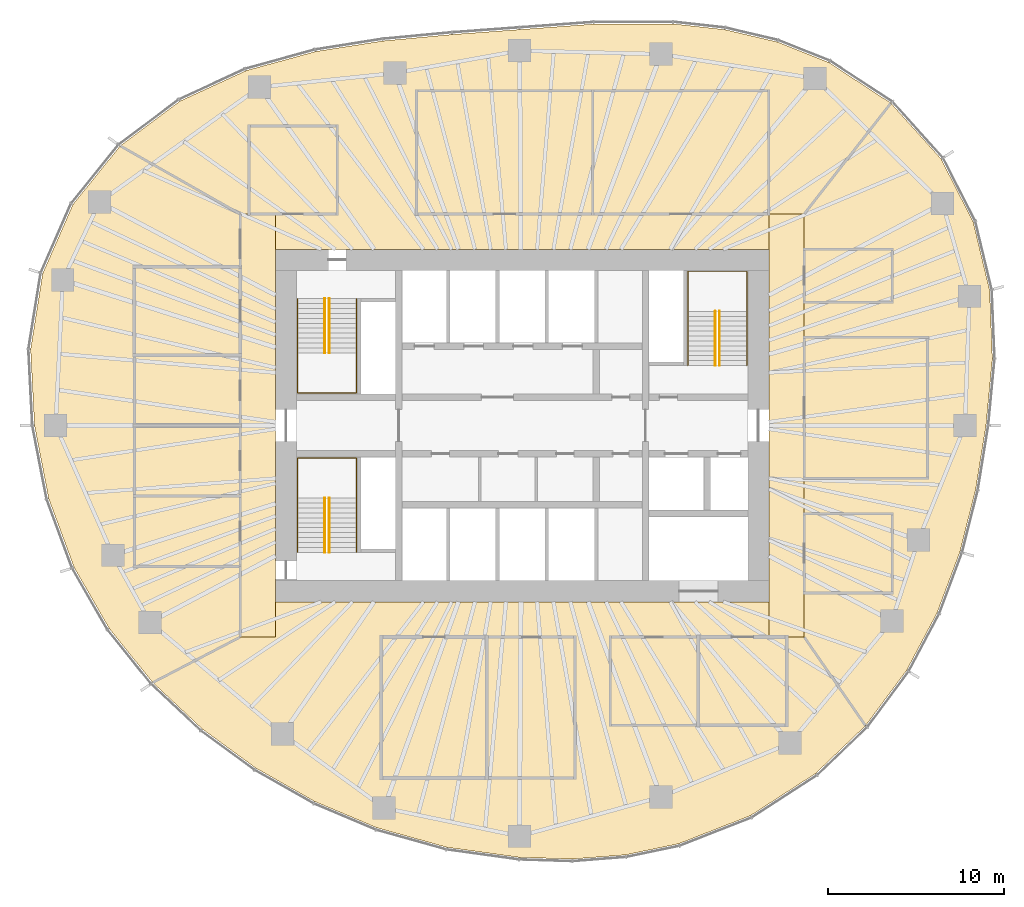
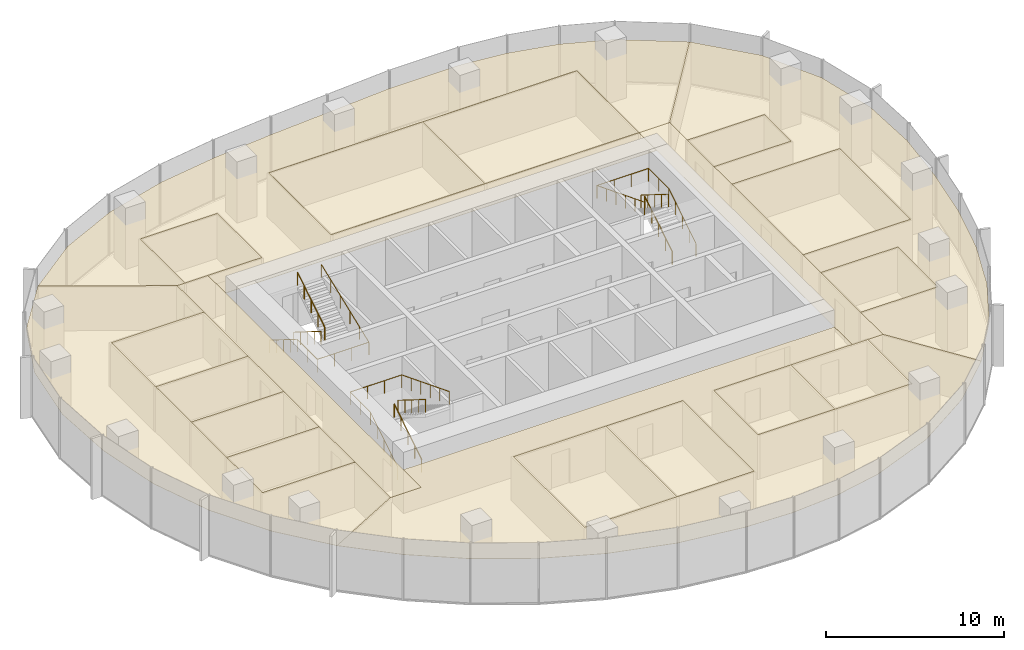
# One storey, part 12 of 12: 20 coverings, 9 railings.
"""IFC4 building model written with IfcOpenShell, lengths in metres."""

from ifc_helpers import new_model, si_unit, direction, frame, origin, origin_2d, place, context, subcontext, project, spatial, polyline, circle, outline, extrude, material, layer, layer_set, type_object, element, save


model = new_model("IFC4")

# Units and contexts
model_context = context("Model", 3, precision=1e-05, world=origin(), true_north=direction((0.0, 1.0)))
body_context = subcontext(model_context, "Body", "Model", "MODEL_VIEW")
ifc_project = project(units=[si_unit("LENGTHUNIT", "METRE"), si_unit("AREAUNIT", "SQUARE_METRE"), si_unit("VOLUMEUNIT", "CUBIC_METRE"), si_unit("PLANEANGLEUNIT", "RADIAN"), si_unit("MASSUNIT", "GRAM", prefix="KILO")], contexts=[model_context])

# Site, building, storey
site_placement = place(None, origin())
site = spatial("IfcSite", under=ifc_project, at=site_placement, CompositionType="ELEMENT")
building_placement = place(site_placement, origin())
building = spatial("IfcBuilding", under=site, at=building_placement, Name="Ghaith Harvest Tower", CompositionType="ELEMENT")
storey_placement = place(building_placement, frame((0.0, 0.0, 224.199951171875)))
storey = spatial("IfcBuildingStorey", under=building, at=storey_placement, Name="L49", CompositionType="ELEMENT", Elevation=224.199951171875)

# Coverings
ifc_material_1 = material(Name="Mineral fibre ceiling tile", Category="gypsum")
ifc_layer = layer(ifc_material_1, 0.02001953125)
ifc_layer_set = layer_set([ifc_layer], Name="CEILING C1")
covering_type = type_object("IfcCoveringType", Name="CEILING C1", PredefinedType="CEILING", material=ifc_layer_set)
covering_1_placement = place(storey_placement, frame((0.0, 0.0, 3.0)))
element("IfcCovering", 1, at=covering_1_placement, inside=storey, type_object=covering_type, Name="Ceiling L49-01", PredefinedType="CEILING", context=body_context, shape_type="SweptSolid", body=[
    extrude(outline(polyline([(-6.0, 12.0), (4.0, 12.0), (4.0, 19.0), (-6.0, 19.0), (-6.0, 12.0)])), origin(), (0.0, 0.0, 1.0), 0.02001953125),
])
covering_2_placement = place(storey_placement, frame((0.0, 0.0, 3.0)))
element("IfcCovering", 2, at=covering_2_placement, inside=storey, type_object=covering_type, Name="Ceiling L49-02", PredefinedType="CEILING", context=body_context, shape_type="SweptSolid", body=[
    extrude(outline(polyline([(4.0, 12.0), (14.0, 12.0), (14.0, 19.0), (4.0, 19.0), (4.0, 12.0)])), origin(), (0.0, 0.0, 1.0), 0.02001953125),
])
covering_3_placement = place(storey_placement, frame((0.0, 0.0, 3.0)))
element("IfcCovering", 3, at=covering_3_placement, inside=storey, type_object=covering_type, Name="Ceiling L49-03", PredefinedType="CEILING", context=body_context, shape_type="SweptSolid", body=[
    extrude(outline(polyline([(-15.5, 12.0), (-10.5, 12.0), (-10.5, 17.0), (-15.5, 17.0), (-15.5, 12.0)])), origin(), (0.0, 0.0, 1.0), 0.02001953125),
])
covering_4_placement = place(storey_placement, frame((0.0, 0.0, 3.0)))
element("IfcCovering", 4, at=covering_4_placement, inside=storey, type_object=covering_type, Name="Ceiling L49-04", PredefinedType="CEILING", context=body_context, shape_type="SweptSolid", body=[
    extrude(outline(polyline([(-8.0, -20.0), (-2.0, -20.0), (-2.0, -12.0), (-8.0, -12.0), (-8.0, -20.0)])), origin(), (0.0, 0.0, 1.0), 0.02001953125),
])
covering_5_placement = place(storey_placement, frame((0.0, 0.0, 3.0)))
element("IfcCovering", 5, at=covering_5_placement, inside=storey, type_object=covering_type, Name="Ceiling L49-05", PredefinedType="CEILING", context=body_context, shape_type="SweptSolid", body=[
    extrude(outline(polyline([(-2.0, -20.0), (3.0, -20.0), (3.0, -12.0), (-2.0, -12.0), (-2.0, -20.0)])), origin(), (0.0, 0.0, 1.0), 0.02001953125),
])
covering_6_placement = place(storey_placement, frame((0.0, 0.0, 3.0)))
element("IfcCovering", 6, at=covering_6_placement, inside=storey, type_object=covering_type, Name="Ceiling L49-06", PredefinedType="CEILING", context=body_context, shape_type="SweptSolid", body=[
    extrude(outline(polyline([(5.0, -17.0), (10.0, -17.0), (10.0, -12.0), (5.0, -12.0), (5.0, -17.0)])), origin(), (0.0, 0.0, 1.0), 0.02001953125),
])
covering_7_placement = place(storey_placement, frame((0.0, 0.0, 3.0)))
element("IfcCovering", 7, at=covering_7_placement, inside=storey, type_object=covering_type, Name="Ceiling L49-07", PredefinedType="CEILING", context=body_context, shape_type="SweptSolid", body=[
    extrude(outline(polyline([(10.0, -17.0), (15.0, -17.0), (15.0, -12.0), (10.0, -12.0), (10.0, -17.0)])), origin(), (0.0, 0.0, 1.0), 0.02001953125),
])
covering_8_placement = place(storey_placement, frame((0.0, 0.0, 3.0)))
element("IfcCovering", 8, at=covering_8_placement, inside=storey, type_object=covering_type, Name="Ceiling L49-08", PredefinedType="CEILING", context=body_context, shape_type="SweptSolid", body=[
    extrude(outline(polyline([(16.0, -3.0), (23.0, -3.0), (23.0, 5.0), (16.0, 5.0), (16.0, -3.0)])), origin(), (0.0, 0.0, 1.0), 0.02001953125),
])
covering_9_placement = place(storey_placement, frame((0.0, 0.0, 3.0)))
element("IfcCovering", 9, at=covering_9_placement, inside=storey, type_object=covering_type, Name="Ceiling L49-09", PredefinedType="CEILING", context=body_context, shape_type="SweptSolid", body=[
    extrude(outline(polyline([(-22.0, -8.0), (-16.0, -8.0), (-16.0, -4.0), (-22.0, -4.0), (-22.0, -8.0)])), origin(), (0.0, 0.0, 1.0), 0.02001953125),
])
covering_10_placement = place(storey_placement, frame((0.0, 0.0, 3.0)))
element("IfcCovering", 10, at=covering_10_placement, inside=storey, type_object=covering_type, Name="Ceiling L49-10", PredefinedType="CEILING", context=body_context, shape_type="SweptSolid", body=[
    extrude(outline(polyline([(-22.0, -4.0), (-16.0, -4.0), (-16.0, 0.0), (-22.0, 0.0), (-22.0, -4.0)])), origin(), (0.0, 0.0, 1.0), 0.02001953125),
])
covering_11_placement = place(storey_placement, frame((0.0, 0.0, 3.0)))
element("IfcCovering", 11, at=covering_11_placement, inside=storey, type_object=covering_type, Name="Ceiling L49-11", PredefinedType="CEILING", context=body_context, shape_type="SweptSolid", body=[
    extrude(outline(polyline([(-22.0, 0.0), (-16.0, 0.0), (-16.0, 4.0), (-22.0, 4.0), (-22.0, 0.0)])), origin(), (0.0, 0.0, 1.0), 0.02001953125),
])
covering_12_placement = place(storey_placement, frame((0.0, 0.0, 3.0)))
element("IfcCovering", 12, at=covering_12_placement, inside=storey, type_object=covering_type, Name="Ceiling L49-12", PredefinedType="CEILING", context=body_context, shape_type="SweptSolid", body=[
    extrude(outline(polyline([(-22.0, 4.0), (-16.0, 4.0), (-16.0, 9.0), (-22.0, 9.0), (-22.0, 4.0)])), origin(), (0.0, 0.0, 1.0), 0.02001953125),
])
covering_13_placement = place(storey_placement, frame((0.0, 0.0, 3.0)))
element("IfcCovering", 13, at=covering_13_placement, inside=storey, type_object=covering_type, Name="Ceiling L49-13", PredefinedType="CEILING", context=body_context, shape_type="SweptSolid", body=[
    extrude(outline(polyline([(16.0, 7.0), (21.0, 7.0), (21.0, 10.0), (16.0, 10.0), (16.0, 7.0)])), origin(), (0.0, 0.0, 1.0), 0.02001953125),
])
covering_14_placement = place(storey_placement, frame((0.0, 0.0, 3.0)))
element("IfcCovering", 14, at=covering_14_placement, inside=storey, type_object=covering_type, Name="Ceiling L49-14", PredefinedType="CEILING", context=body_context, shape_type="SweptSolid", body=[
    extrude(outline(polyline([(16.0, -9.5), (21.0, -9.5), (21.0, -5.0), (16.0, -5.0), (16.0, -9.5)])), origin(), (0.0, 0.0, 1.0), 0.02001953125),
])
covering_15_placement = place(storey_placement, frame((0.0, 0.0, 3.0)))
element("IfcCovering", 15, at=covering_15_placement, inside=storey, type_object=covering_type, Name="Ceiling L49-C1", PredefinedType="CEILING", context=body_context, shape_type="SweptSolid", body=[
    extrude(outline(polyline([(-14.0, 12.0), (-14.0, -12.0), (-16.0, -12.0), (-16.0, 12.0), (-14.0, 12.0)])), origin(), (0.0, 0.0, 1.0), 0.02001953125),
])
covering_16_placement = place(storey_placement, frame((0.0, 0.0, 3.0)))
element("IfcCovering", 16, at=covering_16_placement, inside=storey, type_object=covering_type, Name="Ceiling L49-C2", PredefinedType="CEILING", context=body_context, shape_type="SweptSolid", body=[
    extrude(outline(polyline([(14.0, -12.0), (14.0, 12.0), (16.0, 12.0), (16.0, -12.0), (14.0, -12.0)])), origin(), (0.0, 0.0, 1.0), 0.02001953125),
])
covering_17_placement = place(storey_placement, frame((0.0, 0.0, 3.0)))
element("IfcCovering", 17, at=covering_17_placement, inside=storey, type_object=covering_type, Name="Ceiling L49-N1", PredefinedType="CEILING", context=body_context, shape_type="SweptSolid", body=[
    extrude(outline(polyline([(-15.6474609375, 20.147705078125), (-11.694580078125, 21.2314453125), (-7.8837890625, 21.827880859375), (-3.963134765625, 22.192138671875), (-0.15380859375, 22.470458984375), (4.03857421875, 22.78125), (8.522216796875, 22.796875), (11.47265625, 22.47265625), (14.460693359375, 21.771484375), (17.382080078125, 20.612548828125), (20.923095703125, 18.295166015625), (16.0, 12.0), (14.010009765625, 12.0), (14.010009765625, 19.010009765625), (-6.010009765625, 19.010009765625), (-6.010009765625, 11.989990234375), (14.0, 11.989990234375), (14.0, 10.0), (-14.0, 10.0), (-14.0, 12.0), (-10.5, 12.0), (-10.5, 17.0), (-15.5, 17.0), (-15.5, 12.0), (-16.0, 12.0), (-22.809814453125, 15.87109375), (-19.408203125, 18.41650390625), (-15.6474609375, 20.147705078125)])), origin(), (0.0, 0.0, 1.0), 0.02001953125),
])
covering_18_placement = place(storey_placement, frame((0.0, 0.0, 3.0)))
element("IfcCovering", 18, at=covering_18_placement, inside=storey, type_object=covering_type, Name="Ceiling L49-E1", PredefinedType="CEILING", context=body_context, shape_type="SweptSolid", body=[
    extrude(outline(polyline([(23.77294921875, 15.12939453125), (25.597900390625, 11.55615234375), (26.531005859375, 7.668212890625), (26.685791015625, 3.779052734375), (26.324951171875, 0.0), (25.734375, -3.644287109375), (24.840576171875, -7.179443359375), (23.548828125, -10.631103515625), (21.821533203125, -13.887451171875), (19.48388671875, -17.036865234375), (16.0, -12.0), (16.0, -9.5), (21.0, -9.5), (21.0, -5.0), (16.0, -5.0), (16.0, -3.0), (23.0, -3.0), (23.0, 5.0), (16.0, 5.0), (16.0, 7.0), (21.0, 7.0), (21.0, 10.0), (16.0, 10.0), (16.0, 12.0), (20.923095703125, 18.295166015625), (23.77294921875, 15.12939453125)])), origin(), (0.0, 0.0, 1.0), 0.02001953125),
])
covering_19_placement = place(storey_placement, frame((0.0, 0.0, 3.0)))
element("IfcCovering", 19, at=covering_19_placement, inside=storey, type_object=covering_type, Name="Ceiling L49-S1", PredefinedType="CEILING", context=body_context, shape_type="SweptSolid", body=[
    extrude(outline(polyline([(-20.963134765625, -14.586181640625), (-16.0, -12.0), (-14.0, -12.0), (-14.0, -10.0), (14.0, -10.0), (14.0, -12.0), (5.0, -12.0), (5.0, -17.0), (15.0, -17.0), (15.0, -12.0), (16.0, -12.0), (19.48388671875, -17.036865234375), (16.651611328125, -19.746337890625), (12.949462890625, -22.1435546875), (8.8740234375, -23.73779296875), (5.865234375, -24.3662109375), (2.833984375, -24.602294921875), (-0.167724609375, -24.505126953125), (-4.27490234375, -23.9375), (-8.2451171875, -22.82861328125), (-11.75732421875, -21.345703125), (-15.10400390625, -19.447998046875), (-18.15087890625, -17.223388671875), (-20.963134765625, -14.586181640625)]), holes=[polyline([(3.0, -12.0), (-8.0, -12.0), (-8.0, -20.0), (3.0, -20.0), (3.0, -12.0)])]), origin(), (0.0, 0.0, 1.0), 0.02001953125),
])
covering_20_placement = place(storey_placement, frame((0.0, 0.0, 3.0)))
element("IfcCovering", 20, at=covering_20_placement, inside=storey, type_object=covering_type, Name="Ceiling L49-W1", PredefinedType="CEILING", context=body_context, shape_type="SweptSolid", body=[
    extrude(outline(polyline([(-23.425537109375, -11.530517578125), (-25.424072265625, -8.057373046875), (-26.86669921875, -4.155517578125), (-27.675048828125, 0.0), (-27.897216796875, 4.314697265625), (-27.211181640625, 8.623779296875), (-25.491943359375, 12.547607421875), (-22.809814453125, 15.87109375), (-16.0, 12.0), (-16.0, 9.0), (-22.0, 9.0), (-22.0, -8.0), (-16.0, -8.0), (-16.0, -12.0), (-20.963134765625, -14.586181640625), (-23.425537109375, -11.530517578125)])), origin(), (0.0, 0.0, 1.0), 0.02001953125),
])

# Railings
ifc_material_2 = material(Name="Steel, black powder-coated", Category="steel")
railing_type = type_object("IfcRailingType", Name="HANDRAIL HR1", PredefinedType="HANDRAIL", material=ifc_material_2)
railing_1_placement = place(storey_placement, frame((-11.199951171875, 7.199951171875, 0.175048828125)))
element("IfcRailing", 21, at=railing_1_placement, inside=storey, type_object=railing_type, Name="Handrail HR1 stair ST1 L49 flight 1 inner", PredefinedType="HANDRAIL", context=body_context, shape_type="SweptSolid", body=[
    extrude(circle(Radius=0.02392578125, at=origin_2d()), frame((0.0, 0.0, 0.8759765625), z_axis=(0.0, -0.847979421464, 0.530029150871), x_axis=(1.0, 0.0, 0.0)), (0.0, 0.0, 1.0), 3.632080078125),
    extrude(circle(Radius=0.02099609375, at=origin_2d()), origin(), (0.0, 0.0, 1.0), 0.851806640625),
    extrude(circle(Radius=0.02099609375, at=origin_2d()), frame((0.0, -0.77001953125, 0.481201171875)), (0.0, 0.0, 1.0), 0.851806640625),
    extrude(circle(Radius=0.02099609375, at=origin_2d()), frame((0.0, -1.5400390625, 0.96240234375)), (0.0, 0.0, 1.0), 0.851806640625),
    extrude(circle(Radius=0.02099609375, at=origin_2d()), frame((0.0, -2.309814453125, 1.44384765625)), (0.0, 0.0, 1.0), 0.851806640625),
    extrude(circle(Radius=0.02099609375, at=origin_2d()), frame((0.0, -3.079833984375, 1.925048828125)), (0.0, 0.0, 1.0), 0.851806640625),
])
railing_2_placement = place(storey_placement, frame((-10.949951171875, 4.1201171875, 2.275146484375)))
element("IfcRailing", 22, at=railing_2_placement, inside=storey, type_object=railing_type, Name="Handrail HR1 stair ST1 L49 flight 2 inner", PredefinedType="HANDRAIL", context=body_context, shape_type="SweptSolid", body=[
    extrude(circle(Radius=0.02392578125, at=origin_2d()), frame((0.0, 0.0, 0.8759765625), z_axis=(0.0, 0.848009633417, 0.529980812513), x_axis=(-1.0, 0.0, 0.0)), (0.0, 0.0, 1.0), 3.6318359375),
    extrude(circle(Radius=0.02099609375, at=origin_2d()), origin(), (0.0, 0.0, 1.0), 0.851806640625),
    extrude(circle(Radius=0.02099609375, at=origin_2d()), frame((0.0, 0.77001953125, 0.481201171875)), (0.0, 0.0, 1.0), 0.851806640625),
    extrude(circle(Radius=0.02099609375, at=origin_2d()), frame((0.0, 1.5400390625, 0.96240234375)), (0.0, 0.0, 1.0), 0.851806640625),
    extrude(circle(Radius=0.02099609375, at=origin_2d()), frame((0.0, 2.309814453125, 1.443603515625)), (0.0, 0.0, 1.0), 0.851806640625),
    extrude(circle(Radius=0.02099609375, at=origin_2d()), frame((0.0, 3.079833984375, 1.9248046875)), (0.0, 0.0, 1.0), 0.851806640625),
])
railing_3_placement = place(storey_placement, frame((-12.75, 7.199951171875, 0.175048828125)))
element("IfcRailing", 23, at=railing_3_placement, inside=storey, type_object=railing_type, Name="Handrail HR1 stair ST1 L49 wall side", PredefinedType="HANDRAIL", context=body_context, shape_type="SweptSolid", body=[
    extrude(circle(Radius=0.02392578125, at=origin_2d()), frame((0.0, 0.0, 0.8759765625), z_axis=(0.0, -0.847979421464, 0.530029150871), x_axis=(1.0, 0.0, 0.0)), (0.0, 0.0, 1.0), 3.632080078125),
    extrude(circle(Radius=0.02392578125, at=origin_2d()), frame((0.0, -3.079833984375, 2.80078125), z_axis=(0.0, -1.0, 0.0), x_axis=(1.0, 0.0, 0.0)), (0.0, 0.0, 1.0), 2.27001953125),
    extrude(circle(Radius=0.02392578125, at=origin_2d()), frame((0.0, -5.349853515625, 2.80078125), z_axis=(1.0, 0.0, 0.0), x_axis=(0.0, 1.0, 0.0)), (0.0, 0.0, 1.0), 3.35009765625),
    extrude(circle(Radius=0.02392578125, at=origin_2d()), frame((3.35009765625, -5.349853515625, 2.80078125), z_axis=(0.0, 0.930862461605, 0.365369781968), x_axis=(-1.0, 0.0, 0.0)), (0.0, 0.0, 1.0), 5.747314453125),
    extrude(circle(Radius=0.02099609375, at=origin_2d()), origin(), (0.0, 0.0, 1.0), 0.851806640625),
    extrude(circle(Radius=0.02099609375, at=origin_2d()), frame((0.0, -0.77001953125, 0.481201171875)), (0.0, 0.0, 1.0), 0.851806640625),
    extrude(circle(Radius=0.02099609375, at=origin_2d()), frame((0.0, -1.5400390625, 0.96240234375)), (0.0, 0.0, 1.0), 0.851806640625),
    extrude(circle(Radius=0.02099609375, at=origin_2d()), frame((0.0, -2.309814453125, 1.44384765625)), (0.0, 0.0, 1.0), 0.851806640625),
    extrude(circle(Radius=0.02099609375, at=origin_2d()), frame((0.0, -3.079833984375, 1.925048828125)), (0.0, 0.0, 1.0), 0.851806640625),
    extrude(circle(Radius=0.02099609375, at=origin_2d()), frame((0.0, -4.21484375, 1.925048828125)), (0.0, 0.0, 1.0), 0.851806640625),
    extrude(circle(Radius=0.02099609375, at=origin_2d()), frame((0.0, -5.349853515625, 1.925048828125)), (0.0, 0.0, 1.0), 0.851806640625),
    extrude(circle(Radius=0.02099609375, at=origin_2d()), frame((1.11669921875, -5.349853515625, 1.925048828125)), (0.0, 0.0, 1.0), 0.851806640625),
    extrude(circle(Radius=0.02099609375, at=origin_2d()), frame((2.2333984375, -5.349853515625, 1.925048828125)), (0.0, 0.0, 1.0), 0.851806640625),
    extrude(circle(Radius=0.02099609375, at=origin_2d()), frame((3.35009765625, -5.349853515625, 1.925048828125)), (0.0, 0.0, 1.0), 0.851806640625),
    extrude(circle(Radius=0.02099609375, at=origin_2d()), frame((3.35009765625, -4.27978515625, 2.344970703125)), (0.0, 0.0, 1.0), 0.851806640625),
    extrude(circle(Radius=0.02099609375, at=origin_2d()), frame((3.35009765625, -3.2099609375, 2.764892578125)), (0.0, 0.0, 1.0), 0.851806640625),
    extrude(circle(Radius=0.02099609375, at=origin_2d()), frame((3.35009765625, -2.139892578125, 3.18505859375)), (0.0, 0.0, 1.0), 0.851806640625),
    extrude(circle(Radius=0.02099609375, at=origin_2d()), frame((3.35009765625, -1.070068359375, 3.60498046875)), (0.0, 0.0, 1.0), 0.851806640625),
    extrude(circle(Radius=0.02099609375, at=origin_2d()), frame((3.35009765625, 0.0, 4.02490234375)), (0.0, 0.0, 1.0), 0.851806640625),
])
railing_4_placement = place(storey_placement, frame((-11.199951171875, -7.199951171875, 0.175048828125)))
element("IfcRailing", 24, at=railing_4_placement, inside=storey, type_object=railing_type, Name="Handrail HR1 stair ST3 L49 flight 1 inner", PredefinedType="HANDRAIL", context=body_context, shape_type="SweptSolid", body=[
    extrude(circle(Radius=0.02392578125, at=origin_2d()), frame((0.0, 0.0, 0.8759765625), z_axis=(0.0, 0.847979421464, 0.530029150871), x_axis=(-1.0, 0.0, 0.0)), (0.0, 0.0, 1.0), 3.632080078125),
    extrude(circle(Radius=0.02099609375, at=origin_2d()), origin(), (0.0, 0.0, 1.0), 0.851806640625),
    extrude(circle(Radius=0.02099609375, at=origin_2d()), frame((0.0, 0.77001953125, 0.481201171875)), (0.0, 0.0, 1.0), 0.851806640625),
    extrude(circle(Radius=0.02099609375, at=origin_2d()), frame((0.0, 1.5400390625, 0.96240234375)), (0.0, 0.0, 1.0), 0.851806640625),
    extrude(circle(Radius=0.02099609375, at=origin_2d()), frame((0.0, 2.309814453125, 1.44384765625)), (0.0, 0.0, 1.0), 0.851806640625),
    extrude(circle(Radius=0.02099609375, at=origin_2d()), frame((0.0, 3.079833984375, 1.925048828125)), (0.0, 0.0, 1.0), 0.851806640625),
])
railing_5_placement = place(storey_placement, frame((-10.949951171875, -4.1201171875, 2.275146484375)))
element("IfcRailing", 25, at=railing_5_placement, inside=storey, type_object=railing_type, Name="Handrail HR1 stair ST3 L49 flight 2 inner", PredefinedType="HANDRAIL", context=body_context, shape_type="SweptSolid", body=[
    extrude(circle(Radius=0.02392578125, at=origin_2d()), frame((0.0, 0.0, 0.8759765625), z_axis=(0.0, -0.848009633417, 0.529980812513), x_axis=(1.0, 0.0, 0.0)), (0.0, 0.0, 1.0), 3.6318359375),
    extrude(circle(Radius=0.02099609375, at=origin_2d()), origin(), (0.0, 0.0, 1.0), 0.851806640625),
    extrude(circle(Radius=0.02099609375, at=origin_2d()), frame((0.0, -0.77001953125, 0.481201171875)), (0.0, 0.0, 1.0), 0.851806640625),
    extrude(circle(Radius=0.02099609375, at=origin_2d()), frame((0.0, -1.5400390625, 0.96240234375)), (0.0, 0.0, 1.0), 0.851806640625),
    extrude(circle(Radius=0.02099609375, at=origin_2d()), frame((0.0, -2.309814453125, 1.443603515625)), (0.0, 0.0, 1.0), 0.851806640625),
    extrude(circle(Radius=0.02099609375, at=origin_2d()), frame((0.0, -3.079833984375, 1.9248046875)), (0.0, 0.0, 1.0), 0.851806640625),
])
railing_6_placement = place(storey_placement, frame((-12.75, -7.199951171875, 0.175048828125)))
element("IfcRailing", 26, at=railing_6_placement, inside=storey, type_object=railing_type, Name="Handrail HR1 stair ST3 L49 wall side", PredefinedType="HANDRAIL", context=body_context, shape_type="SweptSolid", body=[
    extrude(circle(Radius=0.02392578125, at=origin_2d()), frame((0.0, 0.0, 0.8759765625), z_axis=(0.0, 0.847979421464, 0.530029150871), x_axis=(-1.0, 0.0, 0.0)), (0.0, 0.0, 1.0), 3.632080078125),
    extrude(circle(Radius=0.02392578125, at=origin_2d()), frame((0.0, 3.079833984375, 2.80078125), z_axis=(0.0, 1.0, 0.0), x_axis=(-1.0, 0.0, 0.0)), (0.0, 0.0, 1.0), 2.27001953125),
    extrude(circle(Radius=0.02392578125, at=origin_2d()), frame((0.0, 5.349853515625, 2.80078125), z_axis=(1.0, 0.0, 0.0), x_axis=(0.0, 1.0, 0.0)), (0.0, 0.0, 1.0), 3.35009765625),
    extrude(circle(Radius=0.02392578125, at=origin_2d()), frame((3.35009765625, 5.349853515625, 2.80078125), z_axis=(0.0, -0.930862461605, 0.365369781968), x_axis=(1.0, 0.0, 0.0)), (0.0, 0.0, 1.0), 5.747314453125),
    extrude(circle(Radius=0.02099609375, at=origin_2d()), origin(), (0.0, 0.0, 1.0), 0.851806640625),
    extrude(circle(Radius=0.02099609375, at=origin_2d()), frame((0.0, 0.77001953125, 0.481201171875)), (0.0, 0.0, 1.0), 0.851806640625),
    extrude(circle(Radius=0.02099609375, at=origin_2d()), frame((0.0, 1.5400390625, 0.96240234375)), (0.0, 0.0, 1.0), 0.851806640625),
    extrude(circle(Radius=0.02099609375, at=origin_2d()), frame((0.0, 2.309814453125, 1.44384765625)), (0.0, 0.0, 1.0), 0.851806640625),
    extrude(circle(Radius=0.02099609375, at=origin_2d()), frame((0.0, 3.079833984375, 1.925048828125)), (0.0, 0.0, 1.0), 0.851806640625),
    extrude(circle(Radius=0.02099609375, at=origin_2d()), frame((0.0, 4.21484375, 1.925048828125)), (0.0, 0.0, 1.0), 0.851806640625),
    extrude(circle(Radius=0.02099609375, at=origin_2d()), frame((0.0, 5.349853515625, 1.925048828125)), (0.0, 0.0, 1.0), 0.851806640625),
    extrude(circle(Radius=0.02099609375, at=origin_2d()), frame((1.11669921875, 5.349853515625, 1.925048828125)), (0.0, 0.0, 1.0), 0.851806640625),
    extrude(circle(Radius=0.02099609375, at=origin_2d()), frame((2.2333984375, 5.349853515625, 1.925048828125)), (0.0, 0.0, 1.0), 0.851806640625),
    extrude(circle(Radius=0.02099609375, at=origin_2d()), frame((3.35009765625, 5.349853515625, 1.925048828125)), (0.0, 0.0, 1.0), 0.851806640625),
    extrude(circle(Radius=0.02099609375, at=origin_2d()), frame((3.35009765625, 4.27978515625, 2.344970703125)), (0.0, 0.0, 1.0), 0.851806640625),
    extrude(circle(Radius=0.02099609375, at=origin_2d()), frame((3.35009765625, 3.2099609375, 2.764892578125)), (0.0, 0.0, 1.0), 0.851806640625),
    extrude(circle(Radius=0.02099609375, at=origin_2d()), frame((3.35009765625, 2.139892578125, 3.18505859375)), (0.0, 0.0, 1.0), 0.851806640625),
    extrude(circle(Radius=0.02099609375, at=origin_2d()), frame((3.35009765625, 1.070068359375, 3.60498046875)), (0.0, 0.0, 1.0), 0.851806640625),
    extrude(circle(Radius=0.02099609375, at=origin_2d()), frame((3.35009765625, 0.0, 4.02490234375)), (0.0, 0.0, 1.0), 0.851806640625),
])
railing_7_placement = place(storey_placement, frame((11.199951171875, 3.39990234375, 0.175048828125)))
element("IfcRailing", 27, at=railing_7_placement, inside=storey, type_object=railing_type, Name="Handrail HR1 stair ST2 L49 flight 1 inner", PredefinedType="HANDRAIL", context=body_context, shape_type="SweptSolid", body=[
    extrude(circle(Radius=0.02392578125, at=origin_2d()), frame((0.0, 0.0, 0.8759765625), z_axis=(0.0, 0.847998304005, 0.529998940003), x_axis=(-1.0, 0.0, 0.0)), (0.0, 0.0, 1.0), 3.632080078125),
    extrude(circle(Radius=0.02099609375, at=origin_2d()), origin(), (0.0, 0.0, 1.0), 0.851806640625),
    extrude(circle(Radius=0.02099609375, at=origin_2d()), frame((0.0, 0.77001953125, 0.481201171875)), (0.0, 0.0, 1.0), 0.851806640625),
    extrude(circle(Radius=0.02099609375, at=origin_2d()), frame((0.0, 1.5400390625, 0.96240234375)), (0.0, 0.0, 1.0), 0.851806640625),
    extrude(circle(Radius=0.02099609375, at=origin_2d()), frame((0.0, 2.31005859375, 1.44384765625)), (0.0, 0.0, 1.0), 0.851806640625),
    extrude(circle(Radius=0.02099609375, at=origin_2d()), frame((0.0, 3.080078125, 1.925048828125)), (0.0, 0.0, 1.0), 0.851806640625),
])
railing_8_placement = place(storey_placement, frame((10.949951171875, 6.47998046875, 2.275146484375)))
element("IfcRailing", 28, at=railing_8_placement, inside=storey, type_object=railing_type, Name="Handrail HR1 stair ST2 L49 flight 2 inner", PredefinedType="HANDRAIL", context=body_context, shape_type="SweptSolid", body=[
    extrude(circle(Radius=0.02392578125, at=origin_2d()), frame((0.0, 0.0, 0.8759765625), z_axis=(0.0, -0.848028513186, 0.529950602248), x_axis=(1.0, 0.0, 0.0)), (0.0, 0.0, 1.0), 3.632080078125),
    extrude(circle(Radius=0.02099609375, at=origin_2d()), origin(), (0.0, 0.0, 1.0), 0.851806640625),
    extrude(circle(Radius=0.02099609375, at=origin_2d()), frame((0.0, -0.77001953125, 0.481201171875)), (0.0, 0.0, 1.0), 0.851806640625),
    extrude(circle(Radius=0.02099609375, at=origin_2d()), frame((0.0, -1.5400390625, 0.96240234375)), (0.0, 0.0, 1.0), 0.851806640625),
    extrude(circle(Radius=0.02099609375, at=origin_2d()), frame((0.0, -2.31005859375, 1.443603515625)), (0.0, 0.0, 1.0), 0.851806640625),
    extrude(circle(Radius=0.02099609375, at=origin_2d()), frame((0.0, -3.080078125, 1.9248046875)), (0.0, 0.0, 1.0), 0.851806640625),
])
railing_9_placement = place(storey_placement, frame((12.75, 3.39990234375, 0.175048828125)))
element("IfcRailing", 29, at=railing_9_placement, inside=storey, type_object=railing_type, Name="Handrail HR1 stair ST2 L49 wall side", PredefinedType="HANDRAIL", context=body_context, shape_type="SweptSolid", body=[
    extrude(circle(Radius=0.02392578125, at=origin_2d()), frame((0.0, 0.0, 0.8759765625), z_axis=(0.0, 0.847998304005, 0.529998940003), x_axis=(-1.0, 0.0, 0.0)), (0.0, 0.0, 1.0), 3.632080078125),
    extrude(circle(Radius=0.02392578125, at=origin_2d()), frame((0.0, 3.080078125, 2.80078125), z_axis=(0.0, 1.0, 0.0), x_axis=(-1.0, 0.0, 0.0)), (0.0, 0.0, 1.0), 2.27001953125),
    extrude(circle(Radius=0.02392578125, at=origin_2d()), frame((0.0, 5.35009765625, 2.80078125), z_axis=(-1.0, 0.0, 0.0), x_axis=(0.0, -1.0, 0.0)), (0.0, 0.0, 1.0), 3.35009765625),
    extrude(circle(Radius=0.02392578125, at=origin_2d()), frame((-3.35009765625, 5.35009765625, 2.80078125), z_axis=(0.0, -0.930868132128, 0.365355334692), x_axis=(1.0, 0.0, 0.0)), (0.0, 0.0, 1.0), 5.747314453125),
    extrude(circle(Radius=0.02099609375, at=origin_2d()), origin(), (0.0, 0.0, 1.0), 0.851806640625),
    extrude(circle(Radius=0.02099609375, at=origin_2d()), frame((0.0, 0.77001953125, 0.481201171875)), (0.0, 0.0, 1.0), 0.851806640625),
    extrude(circle(Radius=0.02099609375, at=origin_2d()), frame((0.0, 1.5400390625, 0.96240234375)), (0.0, 0.0, 1.0), 0.851806640625),
    extrude(circle(Radius=0.02099609375, at=origin_2d()), frame((0.0, 2.31005859375, 1.44384765625)), (0.0, 0.0, 1.0), 0.851806640625),
    extrude(circle(Radius=0.02099609375, at=origin_2d()), frame((0.0, 3.080078125, 1.925048828125)), (0.0, 0.0, 1.0), 0.851806640625),
    extrude(circle(Radius=0.02099609375, at=origin_2d()), frame((0.0, 4.215087890625, 1.925048828125)), (0.0, 0.0, 1.0), 0.851806640625),
    extrude(circle(Radius=0.02099609375, at=origin_2d()), frame((0.0, 5.35009765625, 1.925048828125)), (0.0, 0.0, 1.0), 0.851806640625),
    extrude(circle(Radius=0.02099609375, at=origin_2d()), frame((-1.11669921875, 5.35009765625, 1.925048828125)), (0.0, 0.0, 1.0), 0.851806640625),
    extrude(circle(Radius=0.02099609375, at=origin_2d()), frame((-2.2333984375, 5.35009765625, 1.925048828125)), (0.0, 0.0, 1.0), 0.851806640625),
    extrude(circle(Radius=0.02099609375, at=origin_2d()), frame((-3.35009765625, 5.35009765625, 1.925048828125)), (0.0, 0.0, 1.0), 0.851806640625),
    extrude(circle(Radius=0.02099609375, at=origin_2d()), frame((-3.35009765625, 4.280029296875, 2.344970703125)), (0.0, 0.0, 1.0), 0.851806640625),
    extrude(circle(Radius=0.02099609375, at=origin_2d()), frame((-3.35009765625, 3.2099609375, 2.764892578125)), (0.0, 0.0, 1.0), 0.851806640625),
    extrude(circle(Radius=0.02099609375, at=origin_2d()), frame((-3.35009765625, 2.14013671875, 3.18505859375)), (0.0, 0.0, 1.0), 0.851806640625),
    extrude(circle(Radius=0.02099609375, at=origin_2d()), frame((-3.35009765625, 1.070068359375, 3.60498046875)), (0.0, 0.0, 1.0), 0.851806640625),
    extrude(circle(Radius=0.02099609375, at=origin_2d()), frame((-3.35009765625, 0.0, 4.02490234375)), (0.0, 0.0, 1.0), 0.851806640625),
])

save(model, "model.ifc")
